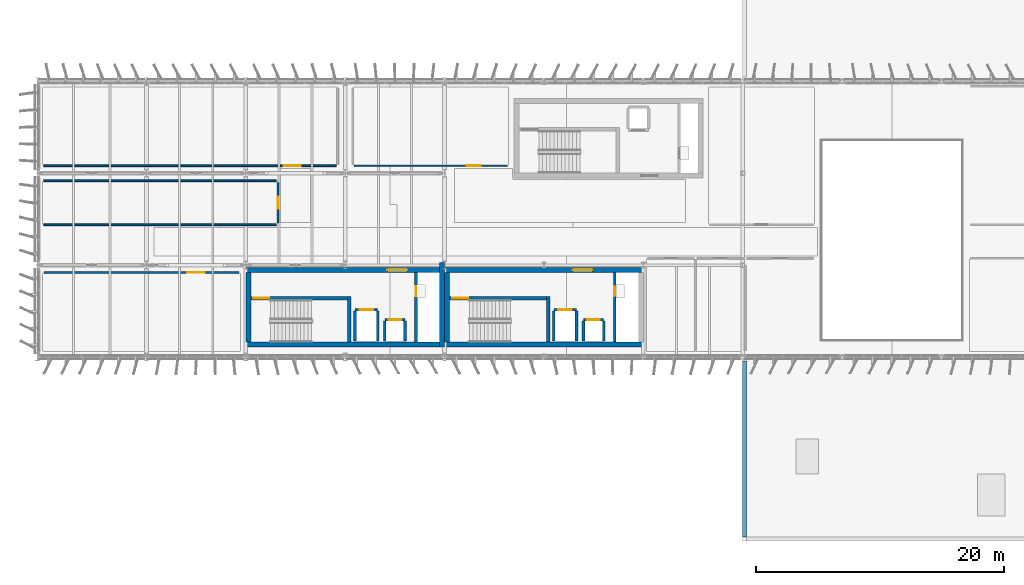
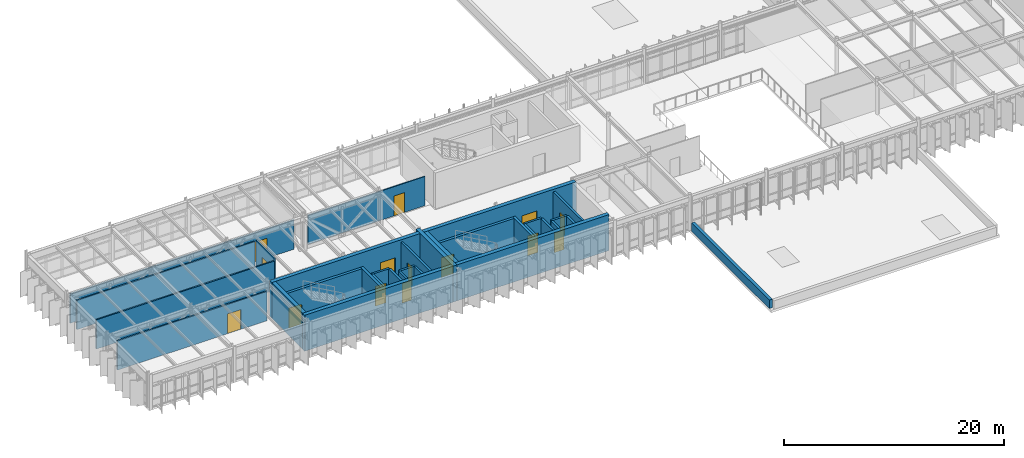
# One storey, part 37 of 56: 32 walls, 14 doors, 14 openings.
"""IFC4 building model written with IfcOpenShell, lengths in metres."""

from ifc_helpers import new_model, si_unit, direction, frame, frame_2d, origin, place, context, subcontext, project, spatial, rectangle, extrude, material, layer, layer_set, type_object, element, fill, save


model = new_model("IFC4")

# Units and contexts
model_context = context("Model", 3, precision=1e-05, world=origin(), true_north=direction((0.0, 1.0)))
body_context = subcontext(model_context, "Body", "Model", "MODEL_VIEW")
ifc_project = project(units=[si_unit("LENGTHUNIT", "METRE"), si_unit("AREAUNIT", "SQUARE_METRE"), si_unit("VOLUMEUNIT", "CUBIC_METRE"), si_unit("PLANEANGLEUNIT", "RADIAN"), si_unit("MASSUNIT", "GRAM", prefix="KILO")], contexts=[model_context])

# Site, building, storey
site_placement = place(None, origin())
site = spatial("IfcSite", under=ifc_project, at=site_placement, CompositionType="ELEMENT")
building_placement = place(site_placement, origin())
building = spatial("IfcBuilding", under=site, at=building_placement, Name="Valkorina Park Police Headquarters", CompositionType="ELEMENT")
storey_placement = place(building_placement, frame((0.0, 0.0, 14.10009765625)))
storey = spatial("IfcBuildingStorey", under=building, at=storey_placement, Name="L04", CompositionType="ELEMENT", Elevation=14.10009765625)

# Wall, opening, door
ifc_material_1 = material(Name="Acoustic mineral board")
ifc_layer_1 = layer(ifc_material_1, 0.14990234375)
ifc_layer_set_1 = layer_set([ifc_layer_1], Name="Acoustic mineral board")
wall_type_1 = type_object("IfcWallType", Name="WL-ACOUST-150-EI30", PredefinedType="PARTITIONING", material=ifc_layer_set_1)
wall_1_placement = place(storey_placement, frame((0.5400390625, 43.800048828125, 0.0), z_axis=(0.0, 0.0, 1.0), x_axis=(1.0, 0.0, 0.0)))
wall_1 = element("IfcWall", 1, at=wall_1_placement, inside=storey, type_object=wall_type_1, Name="L04 Interior Partition 0188 (L04-V5-CANT-S)", PredefinedType="PARTITIONING", context=body_context, shape_type="SweptSolid", body=[
    extrude(rectangle(XDim=15.719970703125, YDim=0.14990234375, at=frame_2d((7.85986328125, 0.0))), origin(), (0.0, 0.0, 1.0), 3.244873046875),
])
opening_1_placement = place(wall_1_placement, frame((11.5615234375, 0.0, 0.0)))
opening_1 = element("IfcOpeningElement", 2, at=opening_1_placement, cuts=wall_1, Name="Opening ID-07", PredefinedType="OPENING", context=body_context, shape_type="SweptSolid", body=[
    extrude(rectangle(XDim=1.39990234375, YDim=2.199951171875, at=frame_2d((0.699951171875, 1.10009765625))), frame((0.0, 0.0849609375, 0.0), z_axis=(0.0, -1.0, 0.0), x_axis=(1.0, 0.0, 0.0)), (0.0, 0.0, 1.0), 0.169921875),
])
ifc_material_2 = material(Name="Thermally broken aluminium AW-6060", Category="aluminium")
ifc_layer_2 = layer(ifc_material_2, 0.050048828125)
ifc_layer_set_2 = layer_set([ifc_layer_2], Name="Thermally broken aluminium AW-6060")
door_type_1 = type_object("IfcDoorType", Name="DR-INT-CONF-1400x2200", OperationType="NOTDEFINED", PredefinedType="DOOR", material=ifc_layer_set_2)
door_1_placement = place(opening_1_placement, origin())
door_1 = element("IfcDoor", 3, at=door_1_placement, inside=storey, type_object=door_type_1, Name="Door D-L04-I088 (L04-V5-CANT-S)", OperationType="SINGLE_SWING_LEFT", OverallHeight=2.199951171875, OverallWidth=1.39990234375, PredefinedType="DOOR", context=body_context, shape_type="SweptSolid", body=[
    extrude(rectangle(XDim=1.39990234375, YDim=2.199951171875, at=frame_2d((0.699951171875, 1.10009765625))), frame((0.0, 0.02490234375, 0.0), z_axis=(0.0, -1.0, 0.0), x_axis=(1.0, 0.0, 0.0)), (0.0, 0.0, 1.0), 0.050048828125),
])
fill(opening_1, door_1)

# Walls
for number, where, z_axis, x_axis, name in (
    (4, (0.5400390625, 47.64990234375, 0.0), (0.0, 0.0, 1.0), (1.0, 0.0, 0.0), "L04 Interior Partition 0189 (L04-V5-CANT-M)"),
    (5, (0.5400390625, 51.199951171875, 0.0), (0.0, 0.0, 1.0), (1.0, 0.0, 0.0), "L04 Interior Partition 0190 (L04-V5-CANT-M)"),
):
    element("IfcWall", number, at=place(storey_placement, frame(where, z_axis=z_axis, x_axis=x_axis)), inside=storey, type_object=wall_type_1, Name=name, PredefinedType="PARTITIONING", context=body_context, shape_type="SweptSolid", body=[
        extrude(rectangle(XDim=18.719970703125, YDim=0.14990234375, at=frame_2d((9.35986328125, 0.0))), origin(), (0.0, 0.0, 1.0), 3.244873046875),
    ])

# Wall, opening, door
wall_2_placement = place(storey_placement, frame((19.39990234375, 47.7900390625, 0.0), z_axis=(0.0, 0.0, 1.0), x_axis=(0.0, 1.0, 0.0)))
wall_2 = element("IfcWall", 6, at=wall_2_placement, inside=storey, type_object=wall_type_1, Name="L04 Interior Partition 0191 (L04-V5-CANT-M)", PredefinedType="PARTITIONING", context=body_context, shape_type="SweptSolid", body=[
    extrude(rectangle(XDim=3.27001953125, YDim=0.14990234375, at=frame_2d((1.635009765625, 0.0))), origin(), (0.0, 0.0, 1.0), 3.434814453125),
])
opening_2_placement = place(wall_2_placement, frame((1.135009765625, 0.0, 0.0)))
opening_2 = element("IfcOpeningElement", 7, at=opening_2_placement, cuts=wall_2, Name="Opening ID-04", PredefinedType="OPENING", context=body_context, shape_type="SweptSolid", body=[
    extrude(rectangle(XDim=1.0, YDim=2.199951171875, at=frame_2d((0.5, 1.10009765625))), frame((0.0, 0.0849609375, 0.0), z_axis=(0.0, -1.0, 0.0), x_axis=(1.0, 0.0, 0.0)), (0.0, 0.0, 1.0), 0.169921875),
])
ifc_layer_3 = layer(ifc_material_2, 0.050048828125)
ifc_layer_set_3 = layer_set([ifc_layer_3], Name="Thermally broken aluminium AW-6060")
door_type_2 = type_object("IfcDoorType", Name="DR-INT-OFF-1000x2200", OperationType="NOTDEFINED", PredefinedType="DOOR", material=ifc_layer_set_3)
door_2_placement = place(opening_2_placement, origin())
door_2 = element("IfcDoor", 8, at=door_2_placement, inside=storey, type_object=door_type_2, Name="Door D-L04-I089 (L04-V5-CANT-M)", OperationType="SINGLE_SWING_RIGHT", OverallHeight=2.199951171875, OverallWidth=1.0, PredefinedType="DOOR", context=body_context, shape_type="SweptSolid", body=[
    extrude(rectangle(XDim=1.0, YDim=2.199951171875, at=frame_2d((0.5, 1.10009765625))), frame((0.0, 0.02490234375, 0.0), z_axis=(0.0, -1.0, 0.0), x_axis=(1.0, 0.0, 0.0)), (0.0, 0.0, 1.0), 0.050048828125),
])
fill(opening_2, door_2)

wall_3_placement = place(storey_placement, frame((0.5400390625, 52.39990234375, 0.0), z_axis=(0.0, 0.0, 1.0), x_axis=(1.0, 0.0, 0.0)))
wall_3 = element("IfcWall", 9, at=wall_3_placement, inside=storey, type_object=wall_type_1, Name="L04 Interior Partition 0192 (L04-V5-CANT-N)", PredefinedType="PARTITIONING", context=body_context, shape_type="SweptSolid", body=[
    extrude(rectangle(XDim=23.52001953125, YDim=0.14990234375, at=frame_2d((11.760009765625, 0.0))), origin(), (0.0, 0.0, 1.0), 3.244873046875),
])
opening_3_placement = place(wall_3_placement, frame((19.2919921875, 0.0, 0.0)))
opening_3 = element("IfcOpeningElement", 10, at=opening_3_placement, cuts=wall_3, Name="Opening ID-07", PredefinedType="OPENING", context=body_context, shape_type="SweptSolid", body=[
    extrude(rectangle(XDim=1.39990234375, YDim=2.199951171875, at=frame_2d((0.699951171875, 1.10009765625))), frame((0.0, 0.0849609375, 0.0), z_axis=(0.0, -1.0, 0.0), x_axis=(1.0, 0.0, 0.0)), (0.0, 0.0, 1.0), 0.169921875),
])
door_3_placement = place(opening_3_placement, origin())
door_3 = element("IfcDoor", 11, at=door_3_placement, inside=storey, type_object=door_type_1, Name="Door D-L04-I090 (L04-V5-CANT-N)", OperationType="SINGLE_SWING_LEFT", OverallHeight=2.199951171875, OverallWidth=1.39990234375, PredefinedType="DOOR", context=body_context, shape_type="SweptSolid", body=[
    extrude(rectangle(XDim=1.39990234375, YDim=2.199951171875, at=frame_2d((0.699951171875, 1.10009765625))), frame((0.0, 0.02490234375, 0.0), z_axis=(0.0, -1.0, 0.0), x_axis=(1.0, 0.0, 0.0)), (0.0, 0.0, 1.0), 0.050048828125),
])
fill(opening_3, door_3)

ifc_material_3 = material(Name="Autoclaved aerated concrete masonry", Category="masonry")
ifc_layer_4 = layer(ifc_material_3, 0.219970703125)
ifc_layer_set_4 = layer_set([ifc_layer_4], Name="Autoclaved aerated concrete masonry")
wall_type_2 = type_object("IfcWallType", Name="WL-CHASE-220-EI60", PredefinedType="PLUMBINGWALL", material=ifc_layer_set_4)
wall_4_placement = place(storey_placement, frame((25.590087890625, 40.81005859375, 0.0), z_axis=(0.0, 0.0, 1.0), x_axis=(1.0, 0.0, 0.0)))
wall_4 = element("IfcWall", 12, at=wall_4_placement, inside=storey, type_object=wall_type_2, Name="Lift LF-01 L04 Shaft Front Wall", PredefinedType="PLUMBINGWALL", context=body_context, shape_type="SweptSolid", body=[
    extrude(rectangle(XDim=1.81982421875, YDim=0.219970703125, at=frame_2d((0.909912109375, 0.0))), origin(), (0.0, 0.0, 1.0), 3.719970703125),
])
opening_4_placement = place(wall_4_placement, frame((0.360107421875, 0.0, 0.0)))
opening_4 = element("IfcOpeningElement", 13, at=opening_4_placement, cuts=wall_4, Name="Opening LD-01", PredefinedType="OPENING", context=body_context, shape_type="SweptSolid", body=[
    extrude(rectangle(XDim=1.10009765625, YDim=2.199951171875, at=frame_2d((0.550048828125, 1.10009765625))), frame((0.0, 0.1201171875, 0.0), z_axis=(0.0, -1.0, 0.0), x_axis=(1.0, 0.0, 0.0)), (0.0, 0.0, 1.0), 0.239990234375),
])
ifc_material_4 = material(Name="Stainless steel EN 1.4404", Category="steel")
ifc_layer_5 = layer(ifc_material_4, 0.050048828125)
ifc_layer_set_5 = layer_set([ifc_layer_5], Name="Stainless steel EN 1.4404")
door_type_3 = type_object("IfcDoorType", Name="DR-LIFT-FF-1100x2200", OperationType="NOTDEFINED", PredefinedType="DOOR", material=ifc_layer_set_5)
door_4_placement = place(opening_4_placement, origin())
door_4 = element("IfcDoor", 14, at=door_4_placement, inside=storey, type_object=door_type_3, Name="Lift Landing Door LF-01-L04", OperationType="DOUBLE_DOOR_SLIDING", OverallHeight=2.199951171875, OverallWidth=1.10009765625, PredefinedType="DOOR", context=body_context, shape_type="SweptSolid", body=[
    extrude(rectangle(XDim=1.10009765625, YDim=2.199951171875, at=frame_2d((0.550048828125, 1.10009765625))), frame((0.0, 0.02490234375, 0.0), z_axis=(0.0, -1.0, 0.0), x_axis=(1.0, 0.0, 0.0)), (0.0, 0.0, 1.0), 0.050048828125),
])
fill(opening_4, door_4)

# Walls
for number, where, z_axis, x_axis, name in (
    (15, (25.590087890625, 38.300048828125, 0.0), (0.0, 0.0, 1.0), (0.0, 1.0, 0.0), "Lift LF-01 L04 Shaft Side Wall W"),
    (16, (27.409912109375, 38.300048828125, 0.0), (0.0, 0.0, 1.0), (0.0, 1.0, 0.0), "Lift LF-01 L04 Shaft Side Wall E"),
):
    element("IfcWall", number, at=place(storey_placement, frame(where, z_axis=z_axis, x_axis=x_axis)), inside=storey, type_object=wall_type_2, Name=name, PredefinedType="PLUMBINGWALL", context=body_context, shape_type="SweptSolid", body=[
        extrude(rectangle(XDim=2.39990234375, YDim=0.219970703125, at=frame_2d((1.199951171875, 0.0))), origin(), (0.0, 0.0, 1.0), 3.719970703125),
    ])

# Wall, opening, door
wall_5_placement = place(storey_placement, frame((27.989990234375, 40.010009765625, 0.0), z_axis=(0.0, 0.0, 1.0), x_axis=(1.0, 0.0, 0.0)))
wall_5 = element("IfcWall", 17, at=wall_5_placement, inside=storey, type_object=wall_type_2, Name="Lift LF-03 L04 Shaft Front Wall", PredefinedType="PLUMBINGWALL", context=body_context, shape_type="SweptSolid", body=[
    extrude(rectangle(XDim=1.6201171875, YDim=0.219970703125, at=frame_2d((0.81005859375, 0.0))), origin(), (0.0, 0.0, 1.0), 3.719970703125),
])
opening_5_placement = place(wall_5_placement, frame((0.31005859375, 0.0, 0.0)))
opening_5 = element("IfcOpeningElement", 18, at=opening_5_placement, cuts=wall_5, Name="Opening LD-02", PredefinedType="OPENING", context=body_context, shape_type="SweptSolid", body=[
    extrude(rectangle(XDim=1.0, YDim=2.199951171875, at=frame_2d((0.5, 1.10009765625))), frame((0.0, 0.1201171875, 0.0), z_axis=(0.0, -1.0, 0.0), x_axis=(1.0, 0.0, 0.0)), (0.0, 0.0, 1.0), 0.239990234375),
])
ifc_layer_6 = layer(ifc_material_4, 0.050048828125)
ifc_layer_set_6 = layer_set([ifc_layer_6], Name="Stainless steel EN 1.4404")
door_type_4 = type_object("IfcDoorType", Name="DR-LIFT-PAX-1000x2200", OperationType="NOTDEFINED", PredefinedType="DOOR", material=ifc_layer_set_6)
door_5_placement = place(opening_5_placement, origin())
door_5 = element("IfcDoor", 19, at=door_5_placement, inside=storey, type_object=door_type_4, Name="Lift Landing Door LF-03-L04", OperationType="DOUBLE_DOOR_SLIDING", OverallHeight=2.199951171875, OverallWidth=1.0, PredefinedType="DOOR", context=body_context, shape_type="SweptSolid", body=[
    extrude(rectangle(XDim=1.0, YDim=2.199951171875, at=frame_2d((0.5, 1.10009765625))), frame((0.0, 0.02490234375, 0.0), z_axis=(0.0, -1.0, 0.0), x_axis=(1.0, 0.0, 0.0)), (0.0, 0.0, 1.0), 0.050048828125),
])
fill(opening_5, door_5)

# Walls
for number, where, z_axis, x_axis, name in (
    (20, (27.989990234375, 38.300048828125, 0.0), (0.0, 0.0, 1.0), (0.0, 1.0, 0.0), "Lift LF-03 L04 Shaft Side Wall W"),
    (21, (29.610107421875, 38.300048828125, 0.0), (0.0, 0.0, 1.0), (0.0, 1.0, 0.0), "Lift LF-03 L04 Shaft Side Wall E"),
):
    element("IfcWall", number, at=place(storey_placement, frame(where, z_axis=z_axis, x_axis=x_axis)), inside=storey, type_object=wall_type_2, Name=name, PredefinedType="PLUMBINGWALL", context=body_context, shape_type="SweptSolid", body=[
        extrude(rectangle(XDim=1.599853515625, YDim=0.219970703125, at=frame_2d((0.7998046875, 0.0))), origin(), (0.0, 0.0, 1.0), 3.719970703125),
    ])

# Wall, opening, door
wall_6_placement = place(storey_placement, frame((30.489990234375, 38.199951171875, 0.0), z_axis=(0.0, 0.0, 1.0), x_axis=(0.0, 1.0, 0.0)))
wall_6 = element("IfcWall", 22, at=wall_6_placement, inside=storey, type_object=wall_type_2, Name="Core C1 L04 Riser Shaft West Wall", PredefinedType="PLUMBINGWALL", context=body_context, shape_type="SweptSolid", body=[
    extrude(rectangle(XDim=5.60009765625, YDim=0.219970703125, at=frame_2d((2.800048828125, 0.0))), origin(), (0.0, 0.0, 1.0), 3.719970703125),
])
opening_6_placement = place(wall_6_placement, frame((3.699951171875, 0.0, 0.0)))
opening_6 = element("IfcOpeningElement", 23, at=opening_6_placement, cuts=wall_6, Name="Opening ID-01", PredefinedType="OPENING", context=body_context, shape_type="SweptSolid", body=[
    extrude(rectangle(XDim=0.800048828125, YDim=2.10009765625, at=frame_2d((0.39990234375, 1.050048828125))), frame((0.0, 0.1201171875, 0.0), z_axis=(0.0, -1.0, 0.0), x_axis=(1.0, 0.0, 0.0)), (0.0, 0.0, 1.0), 0.239990234375),
])
ifc_material_5 = material(Name="Galvanized steel door leaf", Category="steel")
ifc_layer_7 = layer(ifc_material_5, 0.050048828125)
ifc_layer_set_7 = layer_set([ifc_layer_7], Name="Galvanized steel door leaf")
door_type_5 = type_object("IfcDoorType", Name="DR-INT-RISER-800x2100", OperationType="NOTDEFINED", PredefinedType="DOOR", material=ifc_layer_set_7)
door_6_placement = place(opening_6_placement, origin())
door_6 = element("IfcDoor", 24, at=door_6_placement, inside=storey, type_object=door_type_5, Name="Riser Shaft Access Door C1-L04", OperationType="SINGLE_SWING_LEFT", OverallHeight=2.10009765625, OverallWidth=0.800048828125, PredefinedType="DOOR", context=body_context, shape_type="SweptSolid", body=[
    extrude(rectangle(XDim=0.800048828125, YDim=2.10009765625, at=frame_2d((0.39990234375, 1.050048828125))), frame((0.0, 0.02490234375, 0.0), z_axis=(0.0, -1.0, 0.0), x_axis=(1.0, 0.0, 0.0)), (0.0, 0.0, 1.0), 0.050048828125),
])
fill(opening_6, door_6)

wall_7_placement = place(storey_placement, frame((41.590087890625, 40.81005859375, 0.0), z_axis=(0.0, 0.0, 1.0), x_axis=(1.0, 0.0, 0.0)))
wall_7 = element("IfcWall", 25, at=wall_7_placement, inside=storey, type_object=wall_type_2, Name="Lift LF-02 L04 Shaft Front Wall", PredefinedType="PLUMBINGWALL", context=body_context, shape_type="SweptSolid", body=[
    extrude(rectangle(XDim=1.81982421875, YDim=0.219970703125, at=frame_2d((0.909912109375, 0.0))), origin(), (0.0, 0.0, 1.0), 3.719970703125),
])
opening_7_placement = place(wall_7_placement, frame((0.360107421875, 0.0, 0.0)))
opening_7 = element("IfcOpeningElement", 26, at=opening_7_placement, cuts=wall_7, Name="Opening LD-01", PredefinedType="OPENING", context=body_context, shape_type="SweptSolid", body=[
    extrude(rectangle(XDim=1.10009765625, YDim=2.199951171875, at=frame_2d((0.550048828125, 1.10009765625))), frame((0.0, 0.1201171875, 0.0), z_axis=(0.0, -1.0, 0.0), x_axis=(1.0, 0.0, 0.0)), (0.0, 0.0, 1.0), 0.239990234375),
])
door_7_placement = place(opening_7_placement, origin())
door_7 = element("IfcDoor", 27, at=door_7_placement, inside=storey, type_object=door_type_3, Name="Lift Landing Door LF-02-L04", OperationType="DOUBLE_DOOR_SLIDING", OverallHeight=2.199951171875, OverallWidth=1.10009765625, PredefinedType="DOOR", context=body_context, shape_type="SweptSolid", body=[
    extrude(rectangle(XDim=1.10009765625, YDim=2.199951171875, at=frame_2d((0.550048828125, 1.10009765625))), frame((0.0, 0.02490234375, 0.0), z_axis=(0.0, -1.0, 0.0), x_axis=(1.0, 0.0, 0.0)), (0.0, 0.0, 1.0), 0.050048828125),
])
fill(opening_7, door_7)

# Walls
for number, where, z_axis, x_axis, name in (
    (28, (41.590087890625, 38.300048828125, 0.0), (0.0, 0.0, 1.0), (0.0, 1.0, 0.0), "Lift LF-02 L04 Shaft Side Wall W"),
    (29, (43.409912109375, 38.300048828125, 0.0), (0.0, 0.0, 1.0), (0.0, 1.0, 0.0), "Lift LF-02 L04 Shaft Side Wall E"),
):
    element("IfcWall", number, at=place(storey_placement, frame(where, z_axis=z_axis, x_axis=x_axis)), inside=storey, type_object=wall_type_2, Name=name, PredefinedType="PLUMBINGWALL", context=body_context, shape_type="SweptSolid", body=[
        extrude(rectangle(XDim=2.39990234375, YDim=0.219970703125, at=frame_2d((1.199951171875, 0.0))), origin(), (0.0, 0.0, 1.0), 3.719970703125),
    ])

# Wall, opening, door
wall_8_placement = place(storey_placement, frame((43.989990234375, 40.010009765625, 0.0), z_axis=(0.0, 0.0, 1.0), x_axis=(1.0, 0.0, 0.0)))
wall_8 = element("IfcWall", 30, at=wall_8_placement, inside=storey, type_object=wall_type_2, Name="Lift LF-04 L04 Shaft Front Wall", PredefinedType="PLUMBINGWALL", context=body_context, shape_type="SweptSolid", body=[
    extrude(rectangle(XDim=1.6201171875, YDim=0.219970703125, at=frame_2d((0.81005859375, 0.0))), origin(), (0.0, 0.0, 1.0), 3.719970703125),
])
opening_8_placement = place(wall_8_placement, frame((0.31005859375, 0.0, 0.0)))
opening_8 = element("IfcOpeningElement", 31, at=opening_8_placement, cuts=wall_8, Name="Opening LD-02", PredefinedType="OPENING", context=body_context, shape_type="SweptSolid", body=[
    extrude(rectangle(XDim=1.0, YDim=2.199951171875, at=frame_2d((0.5, 1.10009765625))), frame((0.0, 0.1201171875, 0.0), z_axis=(0.0, -1.0, 0.0), x_axis=(1.0, 0.0, 0.0)), (0.0, 0.0, 1.0), 0.239990234375),
])
door_8_placement = place(opening_8_placement, origin())
door_8 = element("IfcDoor", 32, at=door_8_placement, inside=storey, type_object=door_type_4, Name="Lift Landing Door LF-04-L04", OperationType="DOUBLE_DOOR_SLIDING", OverallHeight=2.199951171875, OverallWidth=1.0, PredefinedType="DOOR", context=body_context, shape_type="SweptSolid", body=[
    extrude(rectangle(XDim=1.0, YDim=2.199951171875, at=frame_2d((0.5, 1.10009765625))), frame((0.0, 0.02490234375, 0.0), z_axis=(0.0, -1.0, 0.0), x_axis=(1.0, 0.0, 0.0)), (0.0, 0.0, 1.0), 0.050048828125),
])
fill(opening_8, door_8)

# Walls
for number, where, z_axis, x_axis, name in (
    (33, (43.989990234375, 38.300048828125, 0.0), (0.0, 0.0, 1.0), (0.0, 1.0, 0.0), "Lift LF-04 L04 Shaft Side Wall W"),
    (34, (45.610107421875, 38.300048828125, 0.0), (0.0, 0.0, 1.0), (0.0, 1.0, 0.0), "Lift LF-04 L04 Shaft Side Wall E"),
):
    element("IfcWall", number, at=place(storey_placement, frame(where, z_axis=z_axis, x_axis=x_axis)), inside=storey, type_object=wall_type_2, Name=name, PredefinedType="PLUMBINGWALL", context=body_context, shape_type="SweptSolid", body=[
        extrude(rectangle(XDim=1.599853515625, YDim=0.219970703125, at=frame_2d((0.7998046875, 0.0))), origin(), (0.0, 0.0, 1.0), 3.719970703125),
    ])

# Wall, opening, door
wall_9_placement = place(storey_placement, frame((46.489990234375, 38.199951171875, 0.0), z_axis=(0.0, 0.0, 1.0), x_axis=(0.0, 1.0, 0.0)))
wall_9 = element("IfcWall", 35, at=wall_9_placement, inside=storey, type_object=wall_type_2, Name="Core C2 L04 Riser Shaft West Wall", PredefinedType="PLUMBINGWALL", context=body_context, shape_type="SweptSolid", body=[
    extrude(rectangle(XDim=5.60009765625, YDim=0.219970703125, at=frame_2d((2.800048828125, 0.0))), origin(), (0.0, 0.0, 1.0), 3.719970703125),
])
opening_9_placement = place(wall_9_placement, frame((3.699951171875, 0.0, 0.0)))
opening_9 = element("IfcOpeningElement", 36, at=opening_9_placement, cuts=wall_9, Name="Opening ID-01", PredefinedType="OPENING", context=body_context, shape_type="SweptSolid", body=[
    extrude(rectangle(XDim=0.800048828125, YDim=2.10009765625, at=frame_2d((0.39990234375, 1.050048828125))), frame((0.0, 0.1201171875, 0.0), z_axis=(0.0, -1.0, 0.0), x_axis=(1.0, 0.0, 0.0)), (0.0, 0.0, 1.0), 0.239990234375),
])
door_9_placement = place(opening_9_placement, origin())
door_9 = element("IfcDoor", 37, at=door_9_placement, inside=storey, type_object=door_type_5, Name="Riser Shaft Access Door C2-L04", OperationType="SINGLE_SWING_RIGHT", OverallHeight=2.10009765625, OverallWidth=0.800048828125, PredefinedType="DOOR", context=body_context, shape_type="SweptSolid", body=[
    extrude(rectangle(XDim=0.800048828125, YDim=2.10009765625, at=frame_2d((0.39990234375, 1.050048828125))), frame((0.0, 0.02490234375, 0.0), z_axis=(0.0, -1.0, 0.0), x_axis=(1.0, 0.0, 0.0)), (0.0, 0.0, 1.0), 0.050048828125),
])
fill(opening_9, door_9)

# Wall
ifc_material_6 = material(Name="Concrete C40/50", Category="concrete")
ifc_layer_8 = layer(ifc_material_6, 0.39990234375)
ifc_layer_set_8 = layer_set([ifc_layer_8], Name="Concrete C40/50")
wall_type_3 = type_object("IfcWallType", Name="WL-CORE-400-REI180", PredefinedType="SHEAR", material=ifc_layer_set_8)
wall_10_placement = place(storey_placement, frame((16.800048828125, 38.0, 0.0), z_axis=(0.0, 0.0, 1.0), x_axis=(1.0, 0.0, 0.0)))
element("IfcWall", 38, at=wall_10_placement, inside=storey, type_object=wall_type_3, Name="Core C1 L04 Shear Wall S", PredefinedType="SHEAR", context=body_context, shape_type="SweptSolid", body=[
    extrude(rectangle(XDim=16.39990234375, YDim=0.39990234375, at=frame_2d((8.199951171875, 0.0))), origin(), (0.0, 0.0, 1.0), 3.994873046875),
])

# Wall, opening, door
wall_11_placement = place(storey_placement, frame((16.800048828125, 44.0, 0.0), z_axis=(0.0, 0.0, 1.0), x_axis=(1.0, 0.0, 0.0)))
wall_11 = element("IfcWall", 39, at=wall_11_placement, inside=storey, type_object=wall_type_3, Name="Core C1 L04 Shear Wall N", PredefinedType="SHEAR", context=body_context, shape_type="SweptSolid", body=[
    extrude(rectangle(XDim=16.39990234375, YDim=0.39990234375, at=frame_2d((8.199951171875, 0.0))), origin(), (0.0, 0.0, 1.0), 3.994873046875),
])
opening_10_placement = place(wall_11_placement, frame((11.39990234375, 0.0, 0.0)))
opening_10 = element("IfcOpeningElement", 40, at=opening_10_placement, cuts=wall_11, Name="Opening FD-04", PredefinedType="OPENING", context=body_context, shape_type="SweptSolid", body=[
    extrude(rectangle(XDim=1.60009765625, YDim=2.199951171875, at=frame_2d((0.800048828125, 1.10009765625))), frame((0.0, 0.2099609375, 0.0), z_axis=(0.0, -1.0, 0.0), x_axis=(1.0, 0.0, 0.0)), (0.0, 0.0, 1.0), 0.419921875),
])
ifc_layer_9 = layer(ifc_material_5, 0.050048828125)
ifc_layer_set_9 = layer_set([ifc_layer_9], Name="Galvanized steel door leaf")
door_type_6 = type_object("IfcDoorType", Name="DR-FIRE-FFL-1600x2200", OperationType="NOTDEFINED", PredefinedType="DOOR", material=ifc_layer_set_9)
door_10_placement = place(opening_10_placement, origin())
door_10 = element("IfcDoor", 41, at=door_10_placement, inside=storey, type_object=door_type_6, Name="Door D-L04-FFL-C1 (Firefighting Lift Lobby Door)", OperationType="DOUBLE_DOOR_SINGLE_SWING", OverallHeight=2.199951171875, OverallWidth=1.60009765625, PredefinedType="DOOR", context=body_context, shape_type="SweptSolid", body=[
    extrude(rectangle(XDim=1.60009765625, YDim=2.199951171875, at=frame_2d((0.800048828125, 1.10009765625))), frame((0.0, 0.02490234375, 0.0), z_axis=(0.0, -1.0, 0.0), x_axis=(1.0, 0.0, 0.0)), (0.0, 0.0, 1.0), 0.050048828125),
])
fill(opening_10, door_10)

# Walls
wall_12_placement = place(storey_placement, frame((17.0, 38.199951171875, 0.0), z_axis=(0.0, 0.0, 1.0), x_axis=(0.0, 1.0, 0.0)))
element("IfcWall", 42, at=wall_12_placement, inside=storey, type_object=wall_type_3, Name="Core C1 L04 Shear Wall W", PredefinedType="SHEAR", context=body_context, shape_type="SweptSolid", body=[
    extrude(rectangle(XDim=5.60009765625, YDim=0.39990234375, at=frame_2d((2.800048828125, 0.0))), origin(), (0.0, 0.0, 1.0), 3.994873046875),
])
wall_13_placement = place(storey_placement, frame((32.60009765625, 37.800048828125, 0.0), z_axis=(0.0, 0.0, 1.0), x_axis=(0.0, 1.0, 0.0)))
element("IfcWall", 43, at=wall_13_placement, inside=storey, type_object=wall_type_3, Name="Core C1 L04 Shear Wall E", PredefinedType="SHEAR", context=body_context, shape_type="SweptSolid", body=[
    extrude(rectangle(XDim=6.800048828125, YDim=0.39990234375, at=frame_2d((3.39990234375, 0.0))), origin(), (0.0, 0.0, 1.0), 3.994873046875),
])
wall_14_placement = place(storey_placement, frame((32.800048828125, 38.0, 0.0), z_axis=(0.0, 0.0, 1.0), x_axis=(1.0, 0.0, 0.0)))
element("IfcWall", 44, at=wall_14_placement, inside=storey, type_object=wall_type_3, Name="Core C2 L04 Shear Wall S", PredefinedType="SHEAR", context=body_context, shape_type="SweptSolid", body=[
    extrude(rectangle(XDim=16.0, YDim=0.39990234375, at=frame_2d((8.0, 0.0))), origin(), (0.0, 0.0, 1.0), 3.994873046875),
])

# Wall, opening, door
wall_15_placement = place(storey_placement, frame((32.800048828125, 44.0, 0.0), z_axis=(0.0, 0.0, 1.0), x_axis=(1.0, 0.0, 0.0)))
wall_15 = element("IfcWall", 45, at=wall_15_placement, inside=storey, type_object=wall_type_3, Name="Core C2 L04 Shear Wall N", PredefinedType="SHEAR", context=body_context, shape_type="SweptSolid", body=[
    extrude(rectangle(XDim=16.0, YDim=0.39990234375, at=frame_2d((8.0, 0.0))), origin(), (0.0, 0.0, 1.0), 3.994873046875),
])
opening_11_placement = place(wall_15_placement, frame((10.300048828125, 0.0, 0.0)))
opening_11 = element("IfcOpeningElement", 46, at=opening_11_placement, cuts=wall_15, Name="Opening FD-04", PredefinedType="OPENING", context=body_context, shape_type="SweptSolid", body=[
    extrude(rectangle(XDim=1.60009765625, YDim=2.199951171875, at=frame_2d((0.800048828125, 1.10009765625))), frame((0.0, 0.2099609375, 0.0), z_axis=(0.0, -1.0, 0.0), x_axis=(1.0, 0.0, 0.0)), (0.0, 0.0, 1.0), 0.419921875),
])
door_11_placement = place(opening_11_placement, origin())
door_11 = element("IfcDoor", 47, at=door_11_placement, inside=storey, type_object=door_type_6, Name="Door D-L04-FFL-C2 (Firefighting Lift Lobby Door)", OperationType="DOUBLE_DOOR_SINGLE_SWING", OverallHeight=2.199951171875, OverallWidth=1.60009765625, PredefinedType="DOOR", context=body_context, shape_type="SweptSolid", body=[
    extrude(rectangle(XDim=1.60009765625, YDim=2.199951171875, at=frame_2d((0.800048828125, 1.10009765625))), frame((0.0, 0.02490234375, 0.0), z_axis=(0.0, -1.0, 0.0), x_axis=(1.0, 0.0, 0.0)), (0.0, 0.0, 1.0), 0.050048828125),
])
fill(opening_11, door_11)

# Walls
wall_16_placement = place(storey_placement, frame((33.0, 38.199951171875, 0.0), z_axis=(0.0, 0.0, 1.0), x_axis=(0.0, 1.0, 0.0)))
element("IfcWall", 48, at=wall_16_placement, inside=storey, type_object=wall_type_3, Name="Core C2 L04 Shear Wall W", PredefinedType="SHEAR", context=body_context, shape_type="SweptSolid", body=[
    extrude(rectangle(XDim=5.60009765625, YDim=0.39990234375, at=frame_2d((2.800048828125, 0.0))), origin(), (0.0, 0.0, 1.0), 3.994873046875),
])
ifc_material_7 = material(Name="Precast concrete C40/50", Category="concrete")
ifc_layer_10 = layer(ifc_material_7, 0.320068359375)
ifc_layer_set_10 = layer_set([ifc_layer_10], Name="Precast concrete C40/50")
wall_type_4 = type_object("IfcWallType", Name="WL-PARAPET-320", PredefinedType="PARAPET", material=ifc_layer_set_10)
wall_17_placement = place(storey_placement, frame((56.9599609375, 22.52001953125, 0.0), z_axis=(0.0, 0.0, 1.0), x_axis=(0.0, 1.0, 0.0)))
element("IfcWall", 49, at=wall_17_placement, inside=storey, type_object=wall_type_4, Name="L04 Precast Roof Parapet 6", PredefinedType="PARAPET", context=body_context, shape_type="SweptSolid", body=[
    extrude(rectangle(XDim=14.159912109375, YDim=0.320068359375, at=frame_2d((7.080078125, 0.0))), origin(), (0.0, 0.0, 1.0), 0.949951171875),
])

# Wall, opening, door
ifc_material_8 = material(Name="Gypsum plasterboard")
ifc_layer_11 = layer(ifc_material_8, 0.10009765625)
ifc_layer_set_11 = layer_set([ifc_layer_11], Name="Gypsum plasterboard")
wall_type_5 = type_object("IfcWallType", Name="WL-PART-100", PredefinedType="PARTITIONING", material=ifc_layer_set_11)
wall_18_placement = place(storey_placement, frame((25.5400390625, 52.39990234375, 0.0), z_axis=(0.0, 0.0, 1.0), x_axis=(1.0, 0.0, 0.0)))
wall_18 = element("IfcWall", 50, at=wall_18_placement, inside=storey, type_object=wall_type_5, Name="L04 Interior Partition 0194 (L04-V5-02)", PredefinedType="PARTITIONING", context=body_context, shape_type="SweptSolid", body=[
    extrude(rectangle(XDim=12.320068359375, YDim=0.10009765625, at=frame_2d((6.16015625, 0.0))), origin(), (0.0, 0.0, 1.0), 3.244873046875),
])
opening_12_placement = place(wall_18_placement, frame((9.0595703125, 0.0, 0.0)))
opening_12 = element("IfcOpeningElement", 51, at=opening_12_placement, cuts=wall_18, Name="Opening ID-05", PredefinedType="OPENING", context=body_context, shape_type="SweptSolid", body=[
    extrude(rectangle(XDim=1.10009765625, YDim=2.199951171875, at=frame_2d((0.550048828125, 1.10009765625))), frame((0.0, 0.06005859375, 0.0), z_axis=(0.0, -1.0, 0.0), x_axis=(1.0, 0.0, 0.0)), (0.0, 0.0, 1.0), 0.1201171875),
])
ifc_layer_12 = layer(ifc_material_2, 0.050048828125)
ifc_layer_set_12 = layer_set([ifc_layer_12], Name="Thermally broken aluminium AW-6060")
door_type_7 = type_object("IfcDoorType", Name="DR-INT-INV-1100x2200", OperationType="NOTDEFINED", PredefinedType="DOOR", material=ifc_layer_set_12)
door_12_placement = place(opening_12_placement, origin())
door_12 = element("IfcDoor", 52, at=door_12_placement, inside=storey, type_object=door_type_7, Name="Door D-L04-I091 (L04-V5-02)", OperationType="SINGLE_SWING_RIGHT", OverallHeight=2.199951171875, OverallWidth=1.10009765625, PredefinedType="DOOR", context=body_context, shape_type="SweptSolid", body=[
    extrude(rectangle(XDim=1.10009765625, YDim=2.199951171875, at=frame_2d((0.550048828125, 1.10009765625))), frame((0.0, 0.02490234375, 0.0), z_axis=(0.0, -1.0, 0.0), x_axis=(1.0, 0.0, 0.0)), (0.0, 0.0, 1.0), 0.050048828125),
])
fill(opening_12, door_12)

# Wall
ifc_layer_13 = layer(ifc_material_6, 0.280029296875)
ifc_layer_set_13 = layer_set([ifc_layer_13], Name="Concrete C40/50")
wall_type_6 = type_object("IfcWallType", Name="WL-STAIR-280-REI120", PredefinedType="SHEAR", material=ifc_layer_set_13)
wall_19_placement = place(storey_placement, frame((25.139892578125, 38.199951171875, 0.0), z_axis=(0.0, 0.0, 1.0), x_axis=(0.0, 1.0, 0.0)))
element("IfcWall", 53, at=wall_19_placement, inside=storey, type_object=wall_type_6, Name="Core C1 L04 Shear Wall DIV", PredefinedType="SHEAR", context=body_context, shape_type="SweptSolid", body=[
    extrude(rectangle(XDim=3.679931640625, YDim=0.280029296875, at=frame_2d((1.83984375, 0.0))), origin(), (0.0, 0.0, 1.0), 3.994873046875),
])

# Wall, opening, door
wall_20_placement = place(storey_placement, frame((17.199951171875, 41.739990234375, 0.0), z_axis=(0.0, 0.0, 1.0), x_axis=(1.0, 0.0, 0.0)))
wall_20 = element("IfcWall", 54, at=wall_20_placement, inside=storey, type_object=wall_type_6, Name="Core C1 L04 Shear Wall SIDE", PredefinedType="SHEAR", context=body_context, shape_type="SweptSolid", body=[
    extrude(rectangle(XDim=7.800048828125, YDim=0.280029296875, at=frame_2d((3.89990234375, 0.0))), origin(), (0.0, 0.0, 1.0), 3.994873046875),
])
opening_13_placement = place(wall_20_placement, frame((0.199951171875, 0.0, 0.0)))
opening_13 = element("IfcOpeningElement", 55, at=opening_13_placement, cuts=wall_20, Name="Opening FD-03", PredefinedType="OPENING", context=body_context, shape_type="SweptSolid", body=[
    extrude(rectangle(XDim=1.300048828125, YDim=2.199951171875, at=frame_2d((0.64990234375, 1.10009765625))), frame((0.0, 0.14990234375, 0.0), z_axis=(0.0, -1.0, 0.0), x_axis=(1.0, 0.0, 0.0)), (0.0, 0.0, 1.0), 0.300048828125),
])
ifc_layer_14 = layer(ifc_material_5, 0.050048828125)
ifc_layer_set_14 = layer_set([ifc_layer_14], Name="Galvanized steel door leaf")
door_type_8 = type_object("IfcDoorType", Name="DR-FIRE-STAIR-1300x2200", OperationType="NOTDEFINED", PredefinedType="DOOR", material=ifc_layer_set_14)
door_13_placement = place(opening_13_placement, origin())
door_13 = element("IfcDoor", 56, at=door_13_placement, inside=storey, type_object=door_type_8, Name="Door D-L04-C021 (ST-01 Stair Fire Door)", OperationType="SINGLE_SWING_RIGHT", OverallHeight=2.199951171875, OverallWidth=1.300048828125, PredefinedType="DOOR", context=body_context, shape_type="SweptSolid", body=[
    extrude(rectangle(XDim=1.300048828125, YDim=2.199951171875, at=frame_2d((0.64990234375, 1.10009765625))), frame((0.0, 0.02490234375, 0.0), z_axis=(0.0, -1.0, 0.0), x_axis=(1.0, 0.0, 0.0)), (0.0, 0.0, 1.0), 0.050048828125),
])
fill(opening_13, door_13)

# Wall
wall_21_placement = place(storey_placement, frame((41.139892578125, 38.199951171875, 0.0), z_axis=(0.0, 0.0, 1.0), x_axis=(0.0, 1.0, 0.0)))
element("IfcWall", 57, at=wall_21_placement, inside=storey, type_object=wall_type_6, Name="Core C2 L04 Shear Wall DIV", PredefinedType="SHEAR", context=body_context, shape_type="SweptSolid", body=[
    extrude(rectangle(XDim=3.679931640625, YDim=0.280029296875, at=frame_2d((1.83984375, 0.0))), origin(), (0.0, 0.0, 1.0), 3.994873046875),
])

# Wall, opening, door
wall_22_placement = place(storey_placement, frame((33.199951171875, 41.739990234375, 0.0), z_axis=(0.0, 0.0, 1.0), x_axis=(1.0, 0.0, 0.0)))
wall_22 = element("IfcWall", 58, at=wall_22_placement, inside=storey, type_object=wall_type_6, Name="Core C2 L04 Shear Wall SIDE", PredefinedType="SHEAR", context=body_context, shape_type="SweptSolid", body=[
    extrude(rectangle(XDim=7.800048828125, YDim=0.280029296875, at=frame_2d((3.89990234375, 0.0))), origin(), (0.0, 0.0, 1.0), 3.994873046875),
])
opening_14_placement = place(wall_22_placement, frame((0.199951171875, 0.0, 0.0)))
opening_14 = element("IfcOpeningElement", 59, at=opening_14_placement, cuts=wall_22, Name="Opening FD-03", PredefinedType="OPENING", context=body_context, shape_type="SweptSolid", body=[
    extrude(rectangle(XDim=1.300048828125, YDim=2.199951171875, at=frame_2d((0.64990234375, 1.10009765625))), frame((0.0, 0.14990234375, 0.0), z_axis=(0.0, -1.0, 0.0), x_axis=(1.0, 0.0, 0.0)), (0.0, 0.0, 1.0), 0.300048828125),
])
door_14_placement = place(opening_14_placement, origin())
door_14 = element("IfcDoor", 60, at=door_14_placement, inside=storey, type_object=door_type_8, Name="Door D-L04-C066 (ST-02 Stair Fire Door)", OperationType="SINGLE_SWING_LEFT", OverallHeight=2.199951171875, OverallWidth=1.300048828125, PredefinedType="DOOR", context=body_context, shape_type="SweptSolid", body=[
    extrude(rectangle(XDim=1.300048828125, YDim=2.199951171875, at=frame_2d((0.64990234375, 1.10009765625))), frame((0.0, 0.02490234375, 0.0), z_axis=(0.0, -1.0, 0.0), x_axis=(1.0, 0.0, 0.0)), (0.0, 0.0, 1.0), 0.050048828125),
])
fill(opening_14, door_14)

save(model, "model.ifc")
